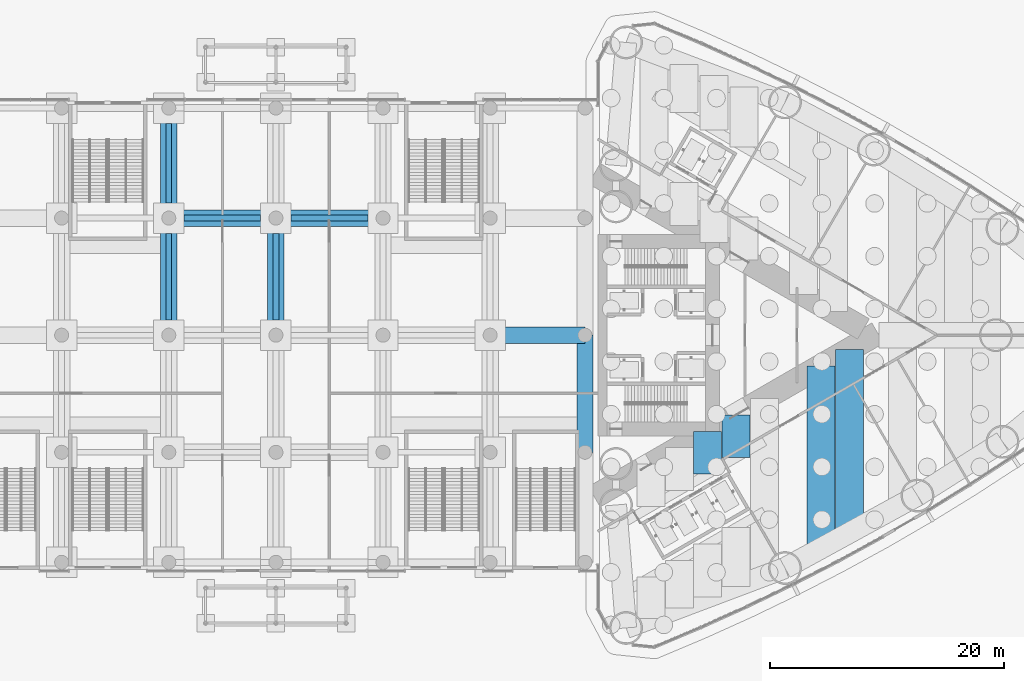
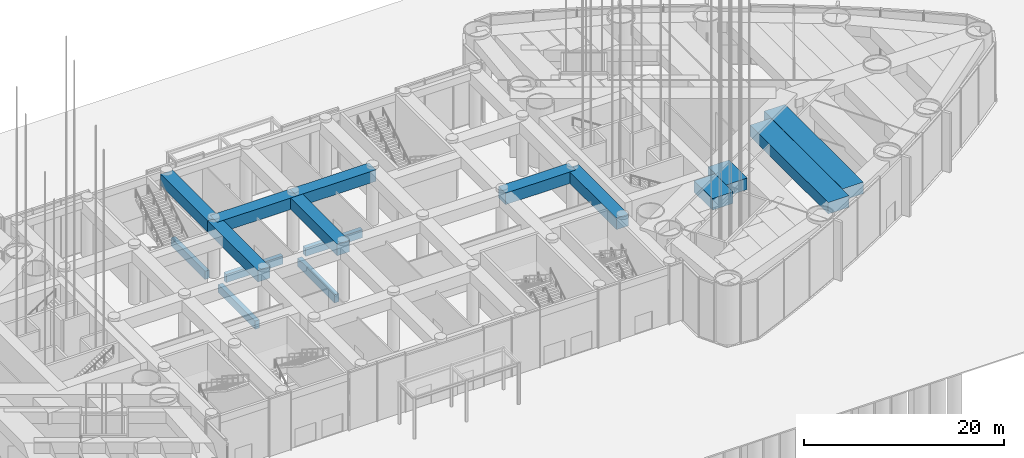
# One storey, part 13 of 43: 16 beams.
"""IFC4 building model written with IfcOpenShell, lengths in metres."""

from ifc_helpers import new_model, si_unit, direction, frame, origin, origin_2d, place, context, subcontext, project, spatial, rectangle, extrude, material, material_profile, profile_set, type_object, element, save


model = new_model("IFC4")

# Units and contexts
model_context = context("Model", 3, precision=1e-05, world=origin(), true_north=direction((0.0, 1.0)))
body_context = subcontext(model_context, "Body", "Model", "MODEL_VIEW")
ifc_project = project(units=[si_unit("LENGTHUNIT", "METRE"), si_unit("AREAUNIT", "SQUARE_METRE"), si_unit("VOLUMEUNIT", "CUBIC_METRE"), si_unit("PLANEANGLEUNIT", "RADIAN"), si_unit("MASSUNIT", "GRAM", prefix="KILO")], contexts=[model_context])

# Site, building, storey
site_placement = place(None, origin())
site = spatial("IfcSite", under=ifc_project, at=site_placement, CompositionType="ELEMENT")
building_placement = place(site_placement, origin())
building = spatial("IfcBuilding", under=site, at=building_placement, Name="Lancet Gate Hotel", CompositionType="ELEMENT")
storey_placement = place(building_placement, origin())
storey = spatial("IfcBuildingStorey", under=building, at=storey_placement, Name="L00", CompositionType="ELEMENT", Elevation=0.0)

# Beams
ifc_material_1 = material(Name="Concrete C50/60", Category="concrete")
ifc_material_profile_1 = material_profile(ifc_material_1, rectangle(XDim=2.39990234375, YDim=1.39990234375, at=origin_2d()), Name="RC 2400x1400")
ifc_profile_set_1 = profile_set([ifc_material_profile_1], Name="Concrete C50/60")
beam_type_1 = type_object("IfcBeamType", Name="Floor beam RC 2400x1400", PredefinedType="BEAM", material=ifc_profile_set_1)
beam_1_placement = place(storey_placement, frame((46.561767578125, -18.203369140625, 6.14990234375), z_axis=(0.0, 1.0, 0.0), x_axis=(-1.0, 0.0, 0.0)))
element("IfcBeam", 1, at=beam_1_placement, inside=storey, type_object=beam_type_1, Name="T2 floor beam F13S L00", PredefinedType="BEAM", context=body_context, shape_type="SweptSolid", body=[
    extrude(rectangle(XDim=2.39990234375, YDim=1.39990234375, at=origin_2d()), origin(), (0.0, 0.0, 1.0), 15.58203125),
])
beam_2_placement = place(storey_placement, frame((48.98193359375, -16.879638671875, 6.14990234375), z_axis=(0.0, 1.0, 0.0), x_axis=(-1.0, 0.0, 0.0)))
element("IfcBeam", 2, at=beam_2_placement, inside=storey, type_object=beam_type_1, Name="T2 floor beam F15S L00", PredefinedType="BEAM", context=body_context, shape_type="SweptSolid", body=[
    extrude(rectangle(XDim=2.39990234375, YDim=1.39990234375, at=origin_2d()), origin(), (0.0, 0.0, 1.0), 15.655517578125),
])
beam_3_placement = place(storey_placement, frame((36.880859375, -11.8564453125, 6.14990234375), z_axis=(0.0, 1.0, 0.0), x_axis=(-1.0, 0.0, 0.0)))
element("IfcBeam", 3, at=beam_3_placement, inside=storey, type_object=beam_type_1, Name="T2 floor beam F07SB L00", PredefinedType="BEAM", context=body_context, shape_type="SweptSolid", body=[
    extrude(rectangle(XDim=2.39990234375, YDim=1.39990234375, at=origin_2d()), origin(), (0.0, 0.0, 1.0), 3.645751953125),
])
beam_4_placement = place(storey_placement, frame((39.301025390625, -10.458984375, 6.14990234375), z_axis=(0.0, 1.0, 0.0), x_axis=(-1.0, 0.0, 0.0)))
element("IfcBeam", 4, at=beam_4_placement, inside=storey, type_object=beam_type_1, Name="T2 floor beam F09SB L00", PredefinedType="BEAM", context=body_context, shape_type="SweptSolid", body=[
    extrude(rectangle(XDim=2.39990234375, YDim=1.39990234375, at=origin_2d()), origin(), (0.0, 0.0, 1.0), 3.6455078125),
])
ifc_material_2 = material(Name="Concrete C40/50", Category="concrete")
ifc_material_profile_2 = material_profile(ifc_material_2, rectangle(XDim=0.5, YDim=1.0, at=origin_2d()), Name="RC 500x1000")
ifc_profile_set_2 = profile_set([ifc_material_profile_2], Name="Concrete C40/50")
beam_type_2 = type_object("IfcBeamType", Name="Ground beam RC 500x1000", PredefinedType="BEAM", material=ifc_profile_set_2)
beam_5_placement = place(storey_placement, frame((-9.14990234375, 1.300048828125, -0.75), z_axis=(0.0, 1.0, 0.0), x_axis=(-1.0, 0.0, 0.0)))
element("IfcBeam", 5, at=beam_5_placement, inside=storey, type_object=beam_type_2, Name="Ground beam 3C-3D", PredefinedType="BEAM", context=body_context, shape_type="SweptSolid", body=[
    extrude(rectangle(XDim=0.5, YDim=1.0, at=origin_2d()), origin(), (0.0, 0.0, 1.0), 7.39990234375),
])
beam_6_placement = place(storey_placement, frame((-7.85009765625, 10.0, -0.75), z_axis=(1.0, 0.0, 0.0), x_axis=(0.0, 1.0, 0.0)))
element("IfcBeam", 6, at=beam_6_placement, inside=storey, type_object=beam_type_2, Name="Ground beam 3D-4D", PredefinedType="BEAM", context=body_context, shape_type="SweptSolid", body=[
    extrude(rectangle(XDim=0.5, YDim=1.0, at=origin_2d()), origin(), (0.0, 0.0, 1.0), 6.550048828125),
])
beam_7_placement = place(storey_placement, frame((-9.14990234375, 11.300048828125, -0.75), z_axis=(0.0, 1.0, 0.0), x_axis=(-1.0, 0.0, 0.0)))
element("IfcBeam", 7, at=beam_7_placement, inside=storey, type_object=beam_type_2, Name="Ground beam 3D-3E", PredefinedType="BEAM", context=body_context, shape_type="SweptSolid", body=[
    extrude(rectangle(XDim=0.5, YDim=1.0, at=origin_2d()), origin(), (0.0, 0.0, 1.0), 6.800048828125),
])
beam_8_placement = place(storey_placement, frame((0.0, 1.300048828125, -0.75), z_axis=(0.0, 1.0, 0.0), x_axis=(-1.0, 0.0, 0.0)))
element("IfcBeam", 8, at=beam_8_placement, inside=storey, type_object=beam_type_2, Name="Ground beam 4C-4D", PredefinedType="BEAM", context=body_context, shape_type="SweptSolid", body=[
    extrude(rectangle(XDim=0.5, YDim=1.0, at=origin_2d()), origin(), (0.0, 0.0, 1.0), 7.39990234375),
])
beam_9_placement = place(storey_placement, frame((1.300048828125, 10.0, -0.75), z_axis=(1.0, 0.0, 0.0), x_axis=(0.0, 1.0, 0.0)))
element("IfcBeam", 9, at=beam_9_placement, inside=storey, type_object=beam_type_2, Name="Ground beam 4D-5D", PredefinedType="BEAM", context=body_context, shape_type="SweptSolid", body=[
    extrude(rectangle(XDim=0.5, YDim=1.0, at=origin_2d()), origin(), (0.0, 0.0, 1.0), 6.550048828125),
])
ifc_material_3 = material(Name="Concrete C50/60", Category="concrete")
ifc_material_profile_3 = material_profile(ifc_material_3, rectangle(XDim=1.39990234375, YDim=1.39990234375, at=origin_2d()), Name="RC 1400x1400")
ifc_profile_set_3 = profile_set([ifc_material_profile_3], Name="Concrete C50/60")
beam_type_3 = type_object("IfcBeamType", Name="Podium beam RC 1400x1400", PredefinedType="BEAM", material=ifc_profile_set_3)
beam_10_placement = place(storey_placement, frame((18.300048828125, 0.0, 6.14990234375), z_axis=(1.0, 0.0, 0.0), x_axis=(0.0, 1.0, 0.0)))
element("IfcBeam", 10, at=beam_10_placement, inside=storey, type_object=beam_type_3, Name="Podium beam C/6-7 L00", PredefinedType="BEAM", context=body_context, shape_type="SweptSolid", body=[
    extrude(rectangle(XDim=1.39990234375, YDim=1.39990234375, at=origin_2d()), origin(), (0.0, 0.0, 1.0), 8.099853515625),
])
for number, where, z_axis, x_axis, name in (
    (11, (-9.14990234375, 10.0, 6.14990234375), (1.0, 0.0, 0.0), (0.0, 1.0, 0.0), "Podium beam D/3-4 L00"),
    (12, (0.0, 10.0, 6.14990234375), (1.0, 0.0, 0.0), (0.0, 1.0, 0.0), "Podium beam D/4-5 L00"),
):
    element("IfcBeam", number, at=place(storey_placement, frame(where, z_axis=z_axis, x_axis=x_axis)), inside=storey, type_object=beam_type_3, Name=name, PredefinedType="BEAM", context=body_context, shape_type="SweptSolid", body=[
        extrude(rectangle(XDim=1.39990234375, YDim=1.39990234375, at=origin_2d()), origin(), (0.0, 0.0, 1.0), 9.14990234375),
    ])
beam_11_placement = place(storey_placement, frame((-9.14990234375, 0.0, 6.14990234375), z_axis=(0.0, 1.0, 0.0), x_axis=(-1.0, 0.0, 0.0)))
element("IfcBeam", 13, at=beam_11_placement, inside=storey, type_object=beam_type_3, Name="Podium beam 3/C-D L00", PredefinedType="BEAM", context=body_context, shape_type="SweptSolid", body=[
    extrude(rectangle(XDim=1.39990234375, YDim=1.39990234375, at=origin_2d()), origin(), (0.0, 0.0, 1.0), 10.0),
])
beam_12_placement = place(storey_placement, frame((-9.14990234375, 10.0, 6.14990234375), z_axis=(0.0, 1.0, 0.0), x_axis=(-1.0, 0.0, 0.0)))
element("IfcBeam", 14, at=beam_12_placement, inside=storey, type_object=beam_type_3, Name="Podium beam 3/D-E L00", PredefinedType="BEAM", context=body_context, shape_type="SweptSolid", body=[
    extrude(rectangle(XDim=1.39990234375, YDim=1.39990234375, at=origin_2d()), origin(), (0.0, 0.0, 1.0), 9.39990234375),
])
for number, where, z_axis, x_axis, name in (
    (15, (0.0, 0.0, 6.14990234375), (0.0, 1.0, 0.0), (-1.0, 0.0, 0.0), "Podium beam 4/C-D L00"),
    (16, (26.39990234375, -10.0, 6.14990234375), (0.0, 1.0, 0.0), (-1.0, 0.0, 0.0), "Podium beam 7/B-C L00"),
):
    element("IfcBeam", number, at=place(storey_placement, frame(where, z_axis=z_axis, x_axis=x_axis)), inside=storey, type_object=beam_type_3, Name=name, PredefinedType="BEAM", context=body_context, shape_type="SweptSolid", body=[
        extrude(rectangle(XDim=1.39990234375, YDim=1.39990234375, at=origin_2d()), origin(), (0.0, 0.0, 1.0), 10.0),
    ])

save(model, "model.ifc")
